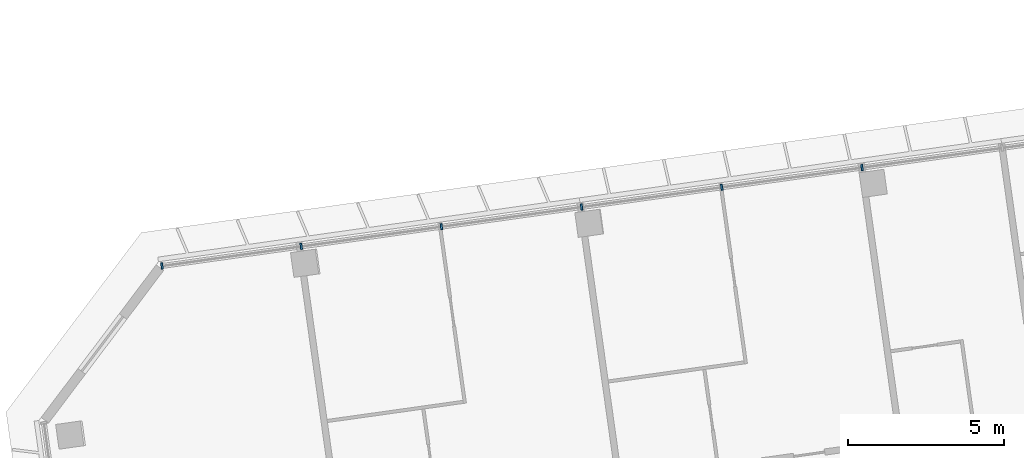
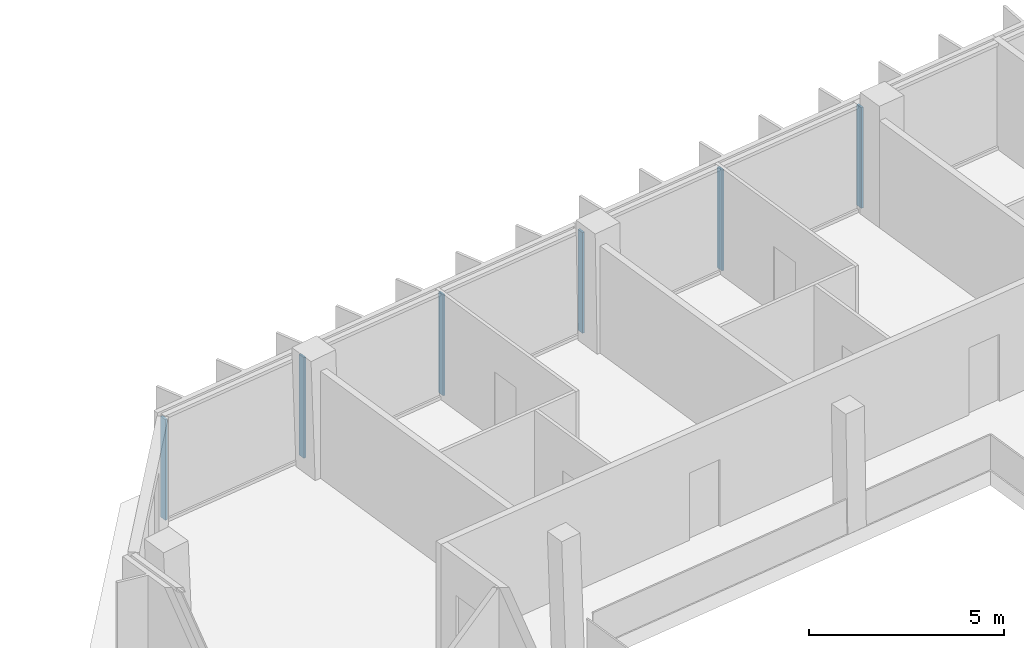
# One storey, part 11 of 25: 6 members, 1 element without a shape of its own.
"""IFC4 building model written with IfcOpenShell, lengths in metres."""

from ifc_helpers import new_model, si_unit, direction, frame, origin, origin_2d, place, context, subcontext, project, spatial, rectangle, extrude, material, material_profile, profile_set, type_object, element, aggregate, save


model = new_model("IFC4")

# Units and contexts
model_context = context("Model", 3, precision=1e-05, world=origin(), true_north=direction((0.0, 1.0)))
body_context = subcontext(model_context, "Body", "Model", "MODEL_VIEW")
ifc_project = project(units=[si_unit("LENGTHUNIT", "METRE"), si_unit("AREAUNIT", "SQUARE_METRE"), si_unit("VOLUMEUNIT", "CUBIC_METRE"), si_unit("PLANEANGLEUNIT", "RADIAN"), si_unit("MASSUNIT", "GRAM", prefix="KILO")], contexts=[model_context])

# Site, building, storey
site_placement = place(None, origin())
site = spatial("IfcSite", under=ifc_project, at=site_placement, CompositionType="ELEMENT")
building_placement = place(site_placement, origin())
building = spatial("IfcBuilding", under=site, at=building_placement, Name="Mirante Cascada Hotel Towers", CompositionType="ELEMENT")
storey_placement = place(building_placement, frame((0.0, 0.0, 172.6)))
storey = spatial("IfcBuildingStorey", under=building, at=storey_placement, Name="L40", CompositionType="ELEMENT", Elevation=172.6)

# Curtain wall, members
ifc_material_1 = material(Name="Aluminium mullion and transom frame with clear laminated glass", Category="aluminium")
curtain_wall_type = type_object("IfcCurtainWallType", Name="Ribbon curtain wall ECW1", PredefinedType="NOTDEFINED", material=ifc_material_1)
curtain_wall_placement = place(storey_placement, origin())
curtain_wall = element("IfcCurtainWall", 1, at=curtain_wall_placement, inside=storey, type_object=curtain_wall_type, Name="Front ribbon wall T2 L40", PredefinedType="NOTDEFINED")
ifc_material_2 = material(Name="Anodised aluminium extrusion", Category="aluminium")
ifc_material_profile = material_profile(ifc_material_2, rectangle(XDim=0.2, YDim=0.065, at=origin_2d()), Name="ECW1 MULLION 65x200")
ifc_profile_set = profile_set([ifc_material_profile], Name="Anodised aluminium extrusion")
member_type = type_object("IfcMemberType", Name="ECW1 mullion 65x200", PredefinedType="MULLION", material=ifc_profile_set)
member_1_placement = place(storey_placement, frame((53.8313, 20.3845, 0.1), z_axis=(0.0, 0.0, 1.0), x_axis=(0.1391731, -0.9902681, 0.0)))
member_1 = element("IfcMember", 2, at=member_1_placement, type_object=member_type, Name="ECW1 mullion 8", PredefinedType="MULLION", context=body_context, shape_type="SweptSolid", body=[
    extrude(rectangle(XDim=0.2, YDim=0.065, at=origin_2d()), origin(), (0.0, 0.0, 1.0), 3.15),
])
member_2_placement = place(storey_placement, frame((49.3436, 19.7538, 0.1), z_axis=(0.0, 0.0, 1.0), x_axis=(0.1391731, -0.9902681, 0.0)))
member_2 = element("IfcMember", 3, at=member_2_placement, type_object=member_type, Name="ECW1 mullion 9", PredefinedType="MULLION", context=body_context, shape_type="SweptSolid", body=[
    extrude(rectangle(XDim=0.2, YDim=0.065, at=origin_2d()), origin(), (0.0, 0.0, 1.0), 3.15),
])
member_3_placement = place(storey_placement, frame((44.8558, 19.1231, 0.1), z_axis=(0.0, 0.0, 1.0), x_axis=(0.1391731, -0.9902681, 0.0)))
member_3 = element("IfcMember", 4, at=member_3_placement, type_object=member_type, Name="ECW1 mullion 10", PredefinedType="MULLION", context=body_context, shape_type="SweptSolid", body=[
    extrude(rectangle(XDim=0.2, YDim=0.065, at=origin_2d()), origin(), (0.0, 0.0, 1.0), 3.15),
])
member_4_placement = place(storey_placement, frame((40.368, 18.4924, 0.1), z_axis=(0.0, 0.0, 1.0), x_axis=(0.1391731, -0.9902681, 0.0)))
member_4 = element("IfcMember", 5, at=member_4_placement, type_object=member_type, Name="ECW1 mullion 11", PredefinedType="MULLION", context=body_context, shape_type="SweptSolid", body=[
    extrude(rectangle(XDim=0.2, YDim=0.065, at=origin_2d()), origin(), (0.0, 0.0, 1.0), 3.15),
])
member_5_placement = place(storey_placement, frame((35.8803, 17.8617, 0.1), z_axis=(0.0, 0.0, 1.0), x_axis=(0.1391731, -0.9902681, 0.0)))
member_5 = element("IfcMember", 6, at=member_5_placement, type_object=member_type, Name="ECW1 mullion 12", PredefinedType="MULLION", context=body_context, shape_type="SweptSolid", body=[
    extrude(rectangle(XDim=0.2, YDim=0.065, at=origin_2d()), origin(), (0.0, 0.0, 1.0), 3.15),
])
member_6_placement = place(storey_placement, frame((31.4247, 17.2355, 0.1), z_axis=(0.0, 0.0, 1.0), x_axis=(0.1391731, -0.9902681, 0.0)))
member_6 = element("IfcMember", 7, at=member_6_placement, type_object=member_type, Name="ECW1 mullion 13", PredefinedType="MULLION", context=body_context, shape_type="SweptSolid", body=[
    extrude(rectangle(XDim=0.2, YDim=0.065, at=origin_2d()), origin(), (0.0, 0.0, 1.0), 3.15),
])
aggregate(curtain_wall, [member_1, member_2, member_3, member_4, member_5, member_6])

save(model, "model.ifc")
